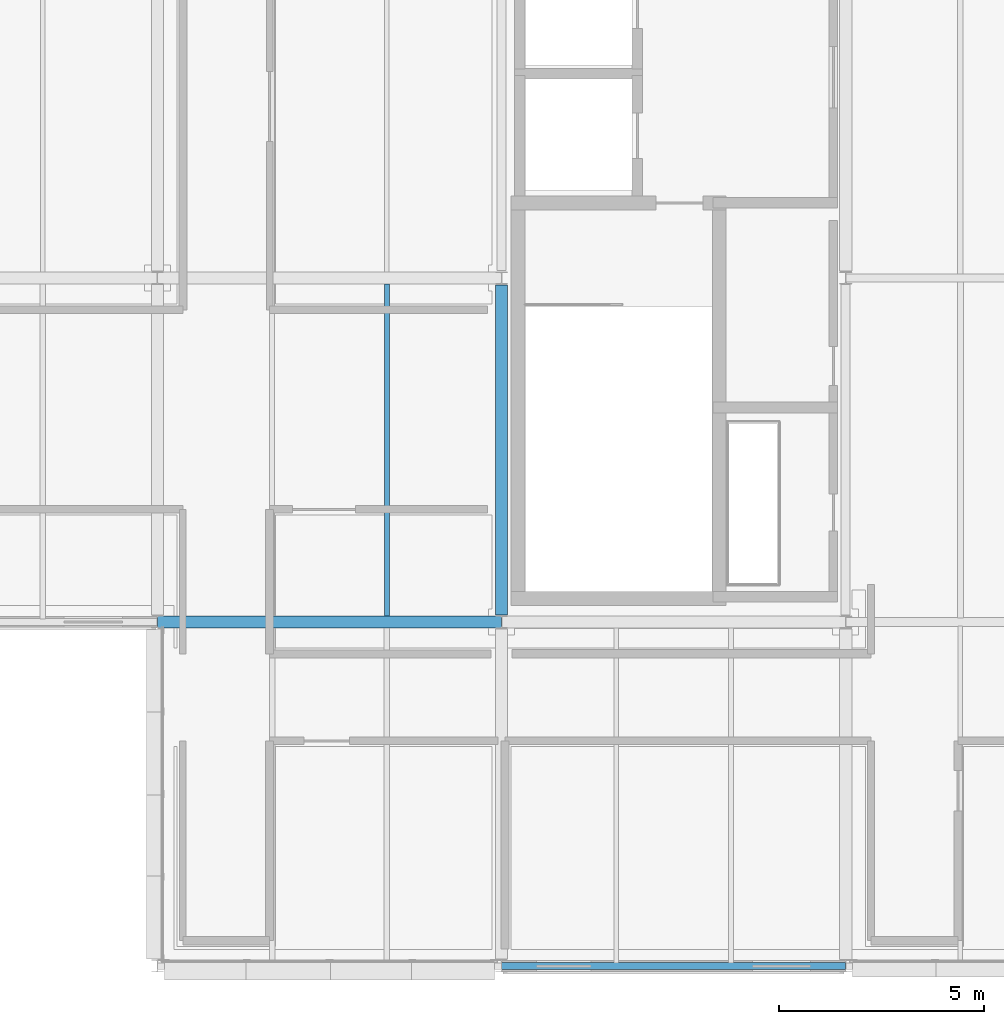
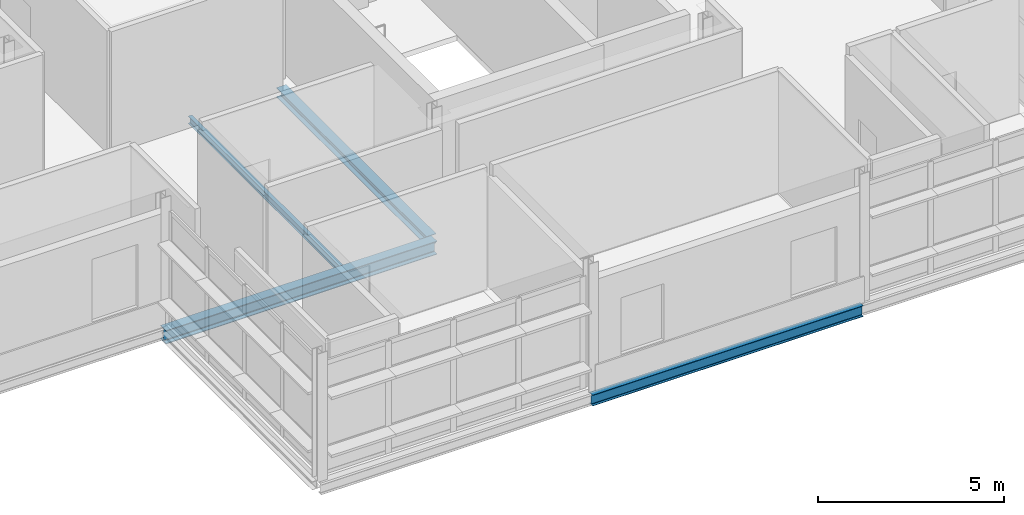
# One storey, part 18 of 35: 4 beams.
"""IFC4 building model written with IfcOpenShell, lengths in metres."""

from ifc_helpers import new_model, si_unit, direction, frame, origin, origin_2d, place, context, subcontext, project, spatial, i_section, extrude, material, material_profile, profile_set, type_object, element, save


model = new_model("IFC4")

# Units and contexts
model_context = context("Model", 3, precision=1e-05, world=origin(), true_north=direction((0.0, 1.0)))
body_context = subcontext(model_context, "Body", "Model", "MODEL_VIEW")
ifc_project = project(units=[si_unit("LENGTHUNIT", "METRE"), si_unit("AREAUNIT", "SQUARE_METRE"), si_unit("VOLUMEUNIT", "CUBIC_METRE"), si_unit("PLANEANGLEUNIT", "RADIAN"), si_unit("MASSUNIT", "GRAM", prefix="KILO")], contexts=[model_context])

# Site, building, storey
site_placement = place(None, origin())
site = spatial("IfcSite", under=ifc_project, at=site_placement, CompositionType="ELEMENT")
building_placement = place(site_placement, origin())
building = spatial("IfcBuilding", under=site, at=building_placement, Name="Mersafa Astral City Hall", CompositionType="ELEMENT")
storey_placement = place(building_placement, frame((0.0, 0.0, 30.14990234375)))
storey = spatial("IfcBuildingStorey", under=building, at=storey_placement, Name="L07", CompositionType="ELEMENT", Elevation=30.14990234375)

# Beams
ifc_material = material(Name="Steel S355", Category="steel")
ifc_material_profile_1 = material_profile(ifc_material, i_section(OverallWidth=0.300048828125, OverallDepth=0.31005859375, WebThickness=0.009033203125, FlangeThickness=0.015380859375, FilletRadius=0.027099609375, at=origin_2d()), Name="HEA 320")
ifc_profile_set_1 = profile_set([ifc_material_profile_1], Name="Steel S355")
beam_type_1 = type_object("IfcBeamType", Name="STR-BM-HEA320", PredefinedType="BEAM", material=ifc_profile_set_1)
beam_1_placement = place(storey_placement, frame((151.199951171875, 109.364990234375, -0.329833984375), z_axis=(0.0, 1.0, 0.0), x_axis=(-1.0, 0.0, 0.0)))
element("IfcBeam", 1, at=beam_1_placement, inside=storey, type_object=beam_type_1, Name="L07 Primary girder Y 18-13", PredefinedType="BEAM", context=body_context, shape_type="SweptSolid", body=[
    extrude(i_section(OverallWidth=0.300048828125, OverallDepth=0.31005859375, WebThickness=0.009033203125, FlangeThickness=0.015380859375, FilletRadius=0.027099609375, at=origin_2d()), origin(), (0.0, 0.0, 1.0), 8.06005859375),
])
ifc_material_profile_2 = material_profile(ifc_material, i_section(OverallWidth=0.300048828125, OverallDepth=0.43994140625, WebThickness=0.011474609375, FlangeThickness=0.02099609375, FilletRadius=0.027099609375, at=origin_2d()), Name="HEA 450")
ifc_profile_set_2 = profile_set([ifc_material_profile_2], Name="Steel S355")
beam_type_2 = type_object("IfcBeamType", Name="STR-BM-HEA450", PredefinedType="BEAM", material=ifc_profile_set_2)
beam_2_placement = place(storey_placement, frame((142.802978515625, 109.199951171875, -0.39501953125), z_axis=(1.0, 0.0, 0.0), x_axis=(0.0, 1.0, 0.0)))
element("IfcBeam", 2, at=beam_2_placement, inside=storey, type_object=beam_type_2, Name="L07 Primary girder X 17-13", PredefinedType="BEAM", context=body_context, shape_type="SweptSolid", body=[
    extrude(i_section(OverallWidth=0.300048828125, OverallDepth=0.43994140625, WebThickness=0.011474609375, FlangeThickness=0.02099609375, FilletRadius=0.027099609375, at=origin_2d()), origin(), (0.0, 0.0, 1.0), 8.39404296875),
])
ifc_material_profile_3 = material_profile(ifc_material, i_section(OverallWidth=0.1201171875, OverallDepth=0.239990234375, WebThickness=0.006103515625, FlangeThickness=0.009765625, FilletRadius=0.014892578125, at=origin_2d()), Name="IPE 240")
ifc_profile_set_3 = profile_set([ifc_material_profile_3], Name="Steel S355")
beam_type_3 = type_object("IfcBeamType", Name="STR-BM-JOIST-IPE240", PredefinedType="JOIST", material=ifc_profile_set_3)
beam_3_placement = place(storey_placement, frame((148.39990234375, 109.344970703125, -0.294921875), z_axis=(0.0, 1.0, 0.0), x_axis=(-1.0, 0.0, 0.0)))
element("IfcBeam", 3, at=beam_3_placement, inside=storey, type_object=beam_type_3, Name="L07 Composite secondary floor joist 907", PredefinedType="JOIST", context=body_context, shape_type="SweptSolid", body=[
    extrude(i_section(OverallWidth=0.1201171875, OverallDepth=0.239990234375, WebThickness=0.006103515625, FlangeThickness=0.009765625, FilletRadius=0.014892578125, at=origin_2d()), origin(), (0.0, 0.0, 1.0), 8.110107421875),
])
ifc_material_profile_4 = material_profile(ifc_material, i_section(OverallWidth=0.169921875, OverallDepth=0.360107421875, WebThickness=0.008056640625, FlangeThickness=0.0126953125, FilletRadius=0.01806640625, at=origin_2d()), Name="IPE 360")
ifc_profile_set_4 = profile_set([ifc_material_profile_4], Name="Steel S355")
beam_type_4 = type_object("IfcBeamType", Name="STR-BM-SPANDREL-IPE360", PredefinedType="SPANDREL", material=ifc_profile_set_4)
beam_4_placement = place(storey_placement, frame((151.202880859375, 100.800048828125, -0.35498046875), z_axis=(1.0, 0.0, 0.0), x_axis=(0.0, 1.0, 0.0)))
element("IfcBeam", 4, at=beam_4_placement, inside=storey, type_object=beam_type_4, Name="L07 Primary girder X 18-12", PredefinedType="SPANDREL", context=body_context, shape_type="SweptSolid", body=[
    extrude(i_section(OverallWidth=0.169921875, OverallDepth=0.360107421875, WebThickness=0.008056640625, FlangeThickness=0.0126953125, FilletRadius=0.01806640625, at=origin_2d()), origin(), (0.0, 0.0, 1.0), 8.39404296875),
])

save(model, "model.ifc")
